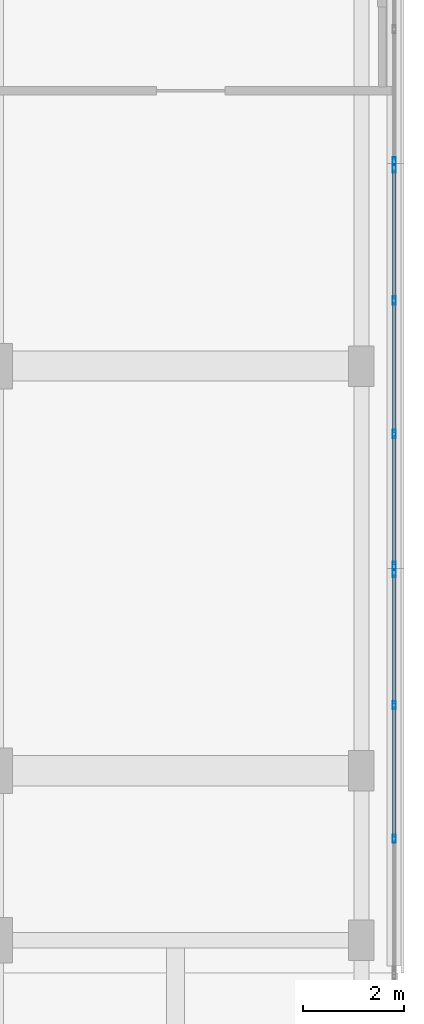
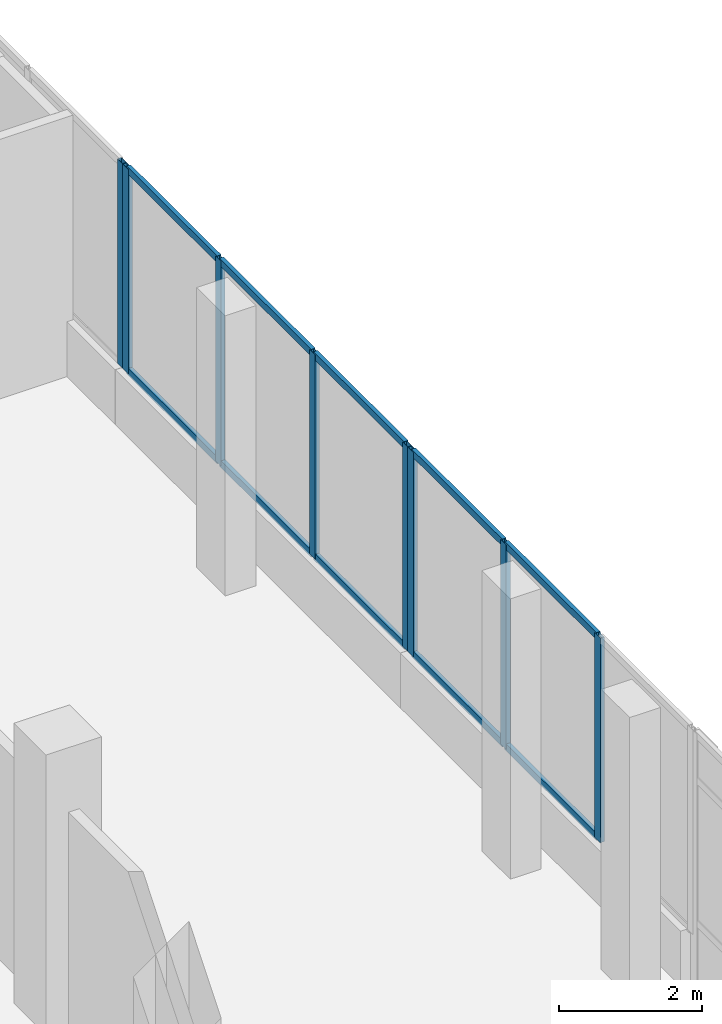
# One storey, part 113 of 168: 18 members, 3 elements without a shape of their own.
"""IFC4 building model written with IfcOpenShell, lengths in metres."""

from ifc_helpers import new_model, si_unit, direction, frame, origin, origin_2d, place, context, subcontext, project, spatial, hollow_rectangle, extrude, material, material_profile, profile_set, type_object, element, aggregate, save


model = new_model("IFC4")

# Units and contexts
model_context = context("Model", 3, precision=1e-05, world=origin(), true_north=direction((0.0, 1.0)))
body_context = subcontext(model_context, "Body", "Model", "MODEL_VIEW")
ifc_project = project(units=[si_unit("LENGTHUNIT", "METRE"), si_unit("AREAUNIT", "SQUARE_METRE"), si_unit("VOLUMEUNIT", "CUBIC_METRE"), si_unit("PLANEANGLEUNIT", "RADIAN"), si_unit("MASSUNIT", "GRAM", prefix="KILO")], contexts=[model_context])

# Site, building, storey
site_placement = place(None, origin())
site = spatial("IfcSite", under=ifc_project, at=site_placement, CompositionType="ELEMENT")
building_placement = place(site_placement, origin())
building = spatial("IfcBuilding", under=site, at=building_placement, Name="Selatvlak General Hospital", CompositionType="ELEMENT")
storey_placement = place(building_placement, frame((0.0, 0.0, 5.39990234375)))
storey = spatial("IfcBuildingStorey", under=building, at=storey_placement, Name="L01", CompositionType="ELEMENT", Elevation=5.39990234375)

# Curtain wall, member
ifc_material_1 = material(Name="Solar-control Low-E double glazing", Category="glass")
curtain_wall_type_1 = type_object("IfcCurtainWallType", Name="CW-CW-02", PredefinedType="USERDEFINED", material=ifc_material_1)
curtain_wall_1_placement = place(storey_placement, origin())
curtain_wall_1 = element("IfcCurtainWall", 1, at=curtain_wall_1_placement, inside=storey, type_object=curtain_wall_type_1, Name="Glazed facade curtain wall CW-L01-0133", ObjectType="UNITISED CURTAIN WALL", PredefinedType="USERDEFINED")
ifc_material_2 = material(Name="Dark anodised aluminium mullion", Category="aluminium")
ifc_material_profile_1 = material_profile(ifc_material_2, hollow_rectangle(XDim=0.06494140625, YDim=0.159912109375, WallThickness=0.00390625, at=origin_2d()), Name="AL-MUL 65x160x4")
ifc_profile_set_1 = profile_set([ifc_material_profile_1], Name="Dark anodised aluminium mullion")
member_type_1 = type_object("IfcMemberType", Name="CWM-01", PredefinedType="MULLION", material=ifc_profile_set_1)
member_1_placement = place(storey_placement, frame((182.0, 104.048583984375, 0.940185546875), z_axis=(0.0, 0.0, 1.0), x_axis=(0.999999992027, 0.000126278568, 0.0)))
member_1 = element("IfcMember", 2, at=member_1_placement, type_object=member_type_1, Name="CW-02 mullion 4", PredefinedType="MULLION", context=body_context, shape_type="SweptSolid", body=[
    extrude(hollow_rectangle(XDim=0.06494140625, YDim=0.159912109375, WallThickness=0.00390625, at=origin_2d()), origin(), (0.0, 0.0, 1.0), 3.5048828125),
])
aggregate(curtain_wall_1, [member_1])

# Curtain wall, members
curtain_wall_type_2 = type_object("IfcCurtainWallType", Name="CW-CW-01", PredefinedType="USERDEFINED", material=ifc_material_1)
curtain_wall_2_placement = place(storey_placement, origin())
curtain_wall_2 = element("IfcCurtainWall", 3, at=curtain_wall_2_placement, inside=storey, type_object=curtain_wall_type_2, Name="Glazed facade curtain wall CW-L01-0134", ObjectType="UNITISED CURTAIN WALL", PredefinedType="USERDEFINED")
member_2_placement = place(storey_placement, frame((182.0, 103.903564453125, 0.940185546875), z_axis=(0.0, 0.0, 1.0), x_axis=(1.0, 0.0, 0.0)))
member_2 = element("IfcMember", 4, at=member_2_placement, type_object=member_type_1, Name="CW-01 mullion 1", PredefinedType="MULLION", context=body_context, shape_type="SweptSolid", body=[
    extrude(hollow_rectangle(XDim=0.06494140625, YDim=0.159912109375, WallThickness=0.00390625, at=origin_2d()), origin(), (0.0, 0.0, 1.0), 3.5048828125),
])
member_3_placement = place(storey_placement, frame((182.0, 101.2958984375, 0.940185546875), z_axis=(0.0, 0.0, 1.0), x_axis=(1.0, 0.0, 0.0)))
member_3 = element("IfcMember", 5, at=member_3_placement, type_object=member_type_1, Name="CW-01 mullion 2", PredefinedType="MULLION", context=body_context, shape_type="SweptSolid", body=[
    extrude(hollow_rectangle(XDim=0.06494140625, YDim=0.159912109375, WallThickness=0.00390625, at=origin_2d()), origin(), (0.0, 0.0, 1.0), 3.5048828125),
])
member_4_placement = place(storey_placement, frame((182.0, 98.656005859375, 0.940185546875), z_axis=(0.0, 0.0, 1.0), x_axis=(1.0, 0.0, 0.0)))
member_4 = element("IfcMember", 6, at=member_4_placement, type_object=member_type_1, Name="CW-01 mullion 3", PredefinedType="MULLION", context=body_context, shape_type="SweptSolid", body=[
    extrude(hollow_rectangle(XDim=0.06494140625, YDim=0.159912109375, WallThickness=0.00390625, at=origin_2d()), origin(), (0.0, 0.0, 1.0), 3.5048828125),
])
member_5_placement = place(storey_placement, frame((182.0, 96.048583984375, 0.940185546875), z_axis=(0.0, 0.0, 1.0), x_axis=(1.0, 0.0, 0.0)))
member_5 = element("IfcMember", 7, at=member_5_placement, type_object=member_type_1, Name="CW-01 mullion 4", PredefinedType="MULLION", context=body_context, shape_type="SweptSolid", body=[
    extrude(hollow_rectangle(XDim=0.06494140625, YDim=0.159912109375, WallThickness=0.00390625, at=origin_2d()), origin(), (0.0, 0.0, 1.0), 3.5048828125),
])

curtain_wall_3_placement = place(storey_placement, origin())
curtain_wall_3 = element("IfcCurtainWall", 8, at=curtain_wall_3_placement, inside=storey, type_object=curtain_wall_type_1, Name="Glazed facade curtain wall CW-L01-0135", ObjectType="UNITISED CURTAIN WALL", PredefinedType="USERDEFINED")
member_6_placement = place(storey_placement, frame((182.0, 95.903564453125, 0.940185546875), z_axis=(0.0, 0.0, 1.0), x_axis=(1.0, 0.0, 0.0)))
member_6 = element("IfcMember", 9, at=member_6_placement, type_object=member_type_1, Name="CW-02 mullion 1", PredefinedType="MULLION", context=body_context, shape_type="SweptSolid", body=[
    extrude(hollow_rectangle(XDim=0.06494140625, YDim=0.159912109375, WallThickness=0.00390625, at=origin_2d()), origin(), (0.0, 0.0, 1.0), 3.5048828125),
])
member_7_placement = place(storey_placement, frame((182.0, 93.2958984375, 0.940185546875), z_axis=(0.0, 0.0, 1.0), x_axis=(1.0, 0.0, 0.0)))
member_7 = element("IfcMember", 10, at=member_7_placement, type_object=member_type_1, Name="CW-02 mullion 2", PredefinedType="MULLION", context=body_context, shape_type="SweptSolid", body=[
    extrude(hollow_rectangle(XDim=0.06494140625, YDim=0.159912109375, WallThickness=0.00390625, at=origin_2d()), origin(), (0.0, 0.0, 1.0), 3.5048828125),
])
member_8_placement = place(storey_placement, frame((182.0, 90.656005859375, 0.940185546875), z_axis=(0.0, 0.0, 1.0), x_axis=(1.0, 0.0, 0.0)))
member_8 = element("IfcMember", 11, at=member_8_placement, type_object=member_type_1, Name="CW-02 mullion 3", PredefinedType="MULLION", context=body_context, shape_type="SweptSolid", body=[
    extrude(hollow_rectangle(XDim=0.06494140625, YDim=0.159912109375, WallThickness=0.00390625, at=origin_2d()), origin(), (0.0, 0.0, 1.0), 3.5048828125),
])

# Member
ifc_material_profile_2 = material_profile(ifc_material_2, hollow_rectangle(XDim=0.06494140625, YDim=0.1201171875, WallThickness=0.00390625, at=origin_2d()), Name="AL-TRN 65x120x4")
ifc_profile_set_2 = profile_set([ifc_material_profile_2], Name="Dark anodised aluminium mullion")
member_type_2 = type_object("IfcMemberType", Name="CWT-01", PredefinedType="USERDEFINED", material=ifc_profile_set_2)
member_9_placement = place(storey_placement, frame((182.0, 103.87109375, 0.97265625), z_axis=(0.0, -1.0, 0.0), x_axis=(1.0, 0.0, 0.0)))
member_9 = element("IfcMember", 12, at=member_9_placement, type_object=member_type_2, Name="CW-01 transom 1.1", ObjectType="TRANSOM", PredefinedType="USERDEFINED", context=body_context, shape_type="SweptSolid", body=[
    extrude(hollow_rectangle(XDim=0.06494140625, YDim=0.1201171875, WallThickness=0.00390625, at=origin_2d()), origin(), (0.0, 0.0, 1.0), 2.54248046875),
])

member_10_placement = place(storey_placement, frame((182.0, 103.87109375, 4.41259765625), z_axis=(0.0, -1.0, 0.0), x_axis=(1.0, 0.0, 0.0)))
member_10 = element("IfcMember", 13, at=member_10_placement, type_object=member_type_2, Name="CW-01 transom 1.2", ObjectType="TRANSOM", PredefinedType="USERDEFINED", context=body_context, shape_type="SweptSolid", body=[
    extrude(hollow_rectangle(XDim=0.06494140625, YDim=0.1201171875, WallThickness=0.00390625, at=origin_2d()), origin(), (0.0, 0.0, 1.0), 2.54248046875),
])

member_11_placement = place(storey_placement, frame((182.0, 101.263427734375, 0.97265625), z_axis=(0.0, -1.0, 0.0), x_axis=(1.0, 0.0, 0.0)))
member_11 = element("IfcMember", 14, at=member_11_placement, type_object=member_type_2, Name="CW-01 transom 2.1", ObjectType="TRANSOM", PredefinedType="USERDEFINED", context=body_context, shape_type="SweptSolid", body=[
    extrude(hollow_rectangle(XDim=0.06494140625, YDim=0.1201171875, WallThickness=0.00390625, at=origin_2d()), origin(), (0.0, 0.0, 1.0), 2.574951171875),
])

member_12_placement = place(storey_placement, frame((182.0, 101.263427734375, 4.41259765625), z_axis=(0.0, -1.0, 0.0), x_axis=(1.0, 0.0, 0.0)))
member_12 = element("IfcMember", 15, at=member_12_placement, type_object=member_type_2, Name="CW-01 transom 2.2", ObjectType="TRANSOM", PredefinedType="USERDEFINED", context=body_context, shape_type="SweptSolid", body=[
    extrude(hollow_rectangle(XDim=0.06494140625, YDim=0.1201171875, WallThickness=0.00390625, at=origin_2d()), origin(), (0.0, 0.0, 1.0), 2.574951171875),
])

member_13_placement = place(storey_placement, frame((182.0, 98.62353515625, 0.97265625), z_axis=(0.0, -1.0, 0.0), x_axis=(1.0, 0.0, 0.0)))
member_13 = element("IfcMember", 16, at=member_13_placement, type_object=member_type_2, Name="CW-01 transom 3.1", ObjectType="TRANSOM", PredefinedType="USERDEFINED", context=body_context, shape_type="SweptSolid", body=[
    extrude(hollow_rectangle(XDim=0.06494140625, YDim=0.1201171875, WallThickness=0.00390625, at=origin_2d()), origin(), (0.0, 0.0, 1.0), 2.54248046875),
])

member_14_placement = place(storey_placement, frame((182.0, 98.62353515625, 4.41259765625), z_axis=(0.0, -1.0, 0.0), x_axis=(1.0, 0.0, 0.0)))
member_14 = element("IfcMember", 17, at=member_14_placement, type_object=member_type_2, Name="CW-01 transom 3.2", ObjectType="TRANSOM", PredefinedType="USERDEFINED", context=body_context, shape_type="SweptSolid", body=[
    extrude(hollow_rectangle(XDim=0.06494140625, YDim=0.1201171875, WallThickness=0.00390625, at=origin_2d()), origin(), (0.0, 0.0, 1.0), 2.54248046875),
])

aggregate(curtain_wall_2, [member_2, member_3, member_4, member_5, member_9, member_10, member_11, member_12, member_13, member_14])

member_15_placement = place(storey_placement, frame((182.0, 95.87109375, 0.97265625), z_axis=(0.0, -1.0, 0.0), x_axis=(1.0, 0.0, 0.0)))
member_15 = element("IfcMember", 18, at=member_15_placement, type_object=member_type_2, Name="CW-02 transom 1.1", ObjectType="TRANSOM", PredefinedType="USERDEFINED", context=body_context, shape_type="SweptSolid", body=[
    extrude(hollow_rectangle(XDim=0.06494140625, YDim=0.1201171875, WallThickness=0.00390625, at=origin_2d()), origin(), (0.0, 0.0, 1.0), 2.54248046875),
])

member_16_placement = place(storey_placement, frame((182.0, 95.87109375, 4.41259765625), z_axis=(0.0, -1.0, 0.0), x_axis=(1.0, 0.0, 0.0)))
member_16 = element("IfcMember", 19, at=member_16_placement, type_object=member_type_2, Name="CW-02 transom 1.2", ObjectType="TRANSOM", PredefinedType="USERDEFINED", context=body_context, shape_type="SweptSolid", body=[
    extrude(hollow_rectangle(XDim=0.06494140625, YDim=0.1201171875, WallThickness=0.00390625, at=origin_2d()), origin(), (0.0, 0.0, 1.0), 2.54248046875),
])

member_17_placement = place(storey_placement, frame((182.0, 93.263427734375, 0.97265625), z_axis=(0.0, -1.0, 0.0), x_axis=(1.0, 0.0, 0.0)))
member_17 = element("IfcMember", 20, at=member_17_placement, type_object=member_type_2, Name="CW-02 transom 2.1", ObjectType="TRANSOM", PredefinedType="USERDEFINED", context=body_context, shape_type="SweptSolid", body=[
    extrude(hollow_rectangle(XDim=0.06494140625, YDim=0.1201171875, WallThickness=0.00390625, at=origin_2d()), origin(), (0.0, 0.0, 1.0), 2.574951171875),
])

member_18_placement = place(storey_placement, frame((182.0, 93.263427734375, 4.41259765625), z_axis=(0.0, -1.0, 0.0), x_axis=(1.0, 0.0, 0.0)))
member_18 = element("IfcMember", 21, at=member_18_placement, type_object=member_type_2, Name="CW-02 transom 2.2", ObjectType="TRANSOM", PredefinedType="USERDEFINED", context=body_context, shape_type="SweptSolid", body=[
    extrude(hollow_rectangle(XDim=0.06494140625, YDim=0.1201171875, WallThickness=0.00390625, at=origin_2d()), origin(), (0.0, 0.0, 1.0), 2.574951171875),
])

aggregate(curtain_wall_3, [member_6, member_7, member_8, member_15, member_16, member_17, member_18])

save(model, "model.ifc")
